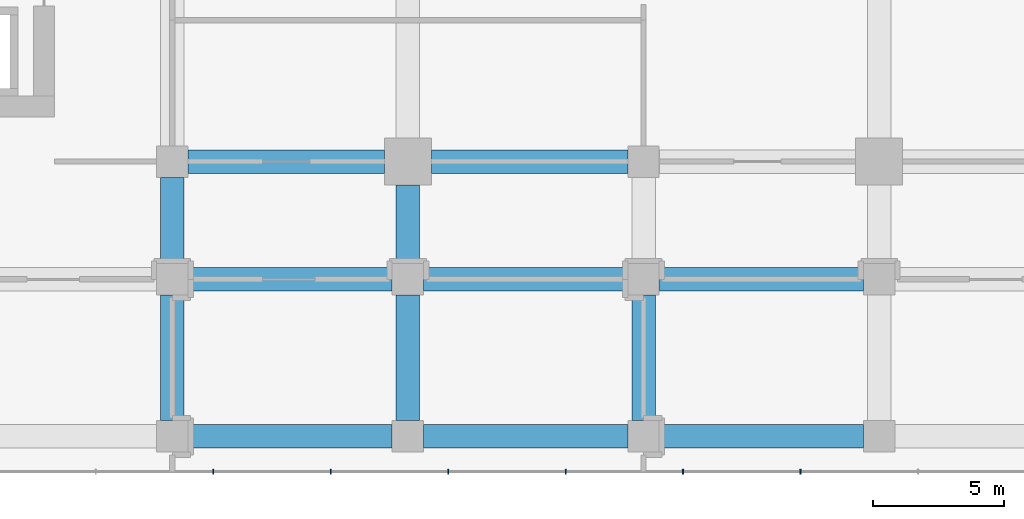
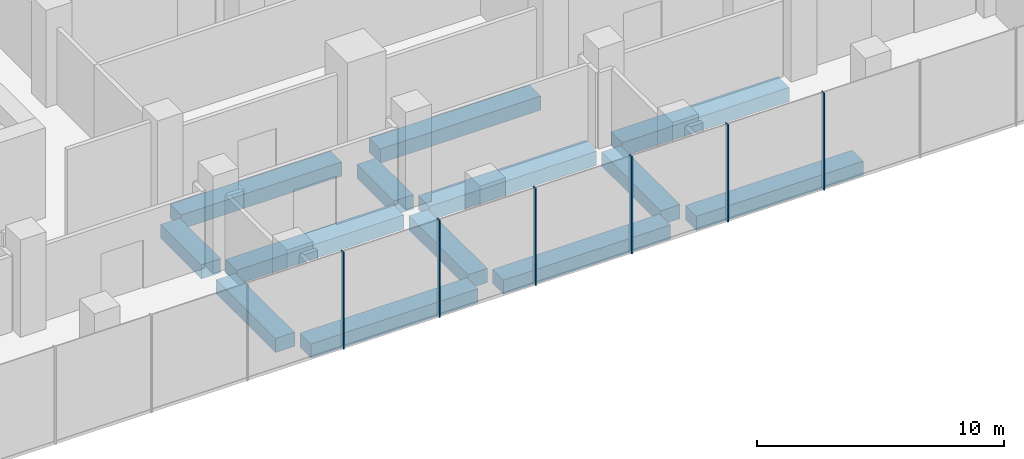
# One storey, part 4 of 42: 13 beams, 6 members, 1 element without a shape of its own.
"""IFC4 building model written with IfcOpenShell, lengths in metres."""

import ifcopenshell
import ifcopenshell.guid

model = None  # the IFC model being written
_history = None  # IfcOwnerHistory: only IFC2X3 demands one
_inside = {}  # id of a spatial element -> (the spatial element, [elements in it])
_under = {}  # id of a project, library or spatial element -> (it, [spatial elements below it])
_declared = {}  # id of a project -> (the project, [libraries it declares])
_typed = {}  # id of a type object -> (the type object, [elements of that type])
_made_of = {}  # id of a material, layer set ... -> (it, [elements and type objects made of it])


def new_model(schema):
    """Start an empty IFC model of exactly this schema.

    Asked for "IFC4X3", IfcOpenShell would pick the latest addendum, in which some entities
    have other attributes; the version numbers below select the first issue.
    IFC2X3 requires an IfcOwnerHistory on every rooted entity: one is made here for all.
    """
    global model, _history
    if schema == "IFC4X3":
        model = ifcopenshell.file(schema_version=(4, 3, 0, 0))
    else:
        model = ifcopenshell.file(schema=schema)
    _inside.clear()
    _under.clear()
    _declared.clear()
    _typed.clear()
    _made_of.clear()
    _history = None
    if model.schema == "IFC2X3":
        org = make("IfcOrganization", Name="unknown")
        user = make(
            "IfcPersonAndOrganization",
            ThePerson=make("IfcPerson", FamilyName="unknown"),
            TheOrganization=org,
        )
        app = make(
            "IfcApplication",
            ApplicationDeveloper=org,
            Version="unknown",
            ApplicationFullName="unknown",
            ApplicationIdentifier="unknown",
        )
        _history = make(
            "IfcOwnerHistory",
            OwningUser=user,
            OwningApplication=app,
            ChangeAction="ADDED",
            CreationDate=0,
        )
    return model


def make(cls, **values):
    """One entity of the class cls with the attributes given. An attribute that is None is left unset."""
    return model.create_entity(
        cls, **{name: value for name, value in values.items() if value is not None}
    )


def rooted(cls, **values):
    """An entity with a GlobalId (a new one), such as an element, a storey or a relation."""
    return make(cls, GlobalId=ifcopenshell.guid.new(), OwnerHistory=_history, **values)


def si_unit(unit_type, name, prefix=None):
    """IfcSIUnit, for example si_unit("LENGTHUNIT", "METRE", prefix="MILLI")."""
    return make("IfcSIUnit", UnitType=unit_type, Prefix=prefix, Name=name)


def assignment(units):
    """IfcUnitAssignment: the units of a project."""
    return None if units is None else make("IfcUnitAssignment", Units=units)


def point(xyz):
    """IfcCartesianPoint."""
    return None if xyz is None else make("IfcCartesianPoint", Coordinates=xyz)


def direction(xyz):
    """IfcDirection."""
    return None if xyz is None else make("IfcDirection", DirectionRatios=xyz)


def frame(location, z_axis=None, x_axis=None):
    """IfcAxis2Placement3D, a coordinate frame: its origin and axes. An axis left out is left unset."""
    return make(
        "IfcAxis2Placement3D",
        Location=point(location),
        Axis=direction(z_axis),
        RefDirection=direction(x_axis),
    )


def frame_2d(location, x_axis=None):
    """IfcAxis2Placement2D, a coordinate frame in the plane: its origin and x axis."""
    return make(
        "IfcAxis2Placement2D", Location=point(location), RefDirection=direction(x_axis)
    )


def origin():
    """The frame at (0, 0, 0) with its axes left unset."""
    return frame((0.0, 0.0, 0.0))


def origin_2d():
    """The frame at (0, 0) in the plane with its x axis left unset."""
    return frame_2d((0.0, 0.0))


def place(relative_to, where):
    """IfcLocalPlacement: puts the frame where relative to a parent placement (None: the world)."""
    return make(
        "IfcLocalPlacement", PlacementRelTo=relative_to, RelativePlacement=where
    )


def context(
    kind, dimensions, precision=None, world=None, true_north=None, identifier=None
):
    """IfcGeometricRepresentationContext, for example the 3D "Model" context."""
    return make(
        "IfcGeometricRepresentationContext",
        ContextIdentifier=identifier,
        ContextType=kind,
        CoordinateSpaceDimension=dimensions,
        Precision=precision,
        WorldCoordinateSystem=world,
        TrueNorth=true_north,
    )


def subcontext(parent, identifier, kind, view, scale=None):
    """IfcGeometricRepresentationSubContext, for example "Body" below "Model"."""
    return make(
        "IfcGeometricRepresentationSubContext",
        ContextIdentifier=identifier,
        ContextType=kind,
        ParentContext=parent,
        TargetScale=scale,
        TargetView=view,
    )


def project(units=None, contexts=None):
    """IfcProject with its units and contexts."""
    return rooted(
        "IfcProject",
        Name="project",
        RepresentationContexts=contexts,
        UnitsInContext=assignment(units),
    )


def spatial(cls, under=None, at=None, **own):
    """A site, building, storey or space (cls), placed at a placement, below another one or the project."""
    s = rooted(cls, ObjectPlacement=at, **own)
    if under is not None:
        _under.setdefault(under.id(), (under, []))[1].append(s)
    return s


def profile(cls, at=None, kind="AREA", **sizes):
    """A parametric profile (cls). Its sizes go by their IFC names, for example OverallWidth=200.0."""
    return make(cls, ProfileType=kind, Position=at, **sizes)


def rectangle(**sizes):
    """IfcRectangleProfileDef."""
    return profile("IfcRectangleProfileDef", **sizes)


def extrude(swept, where, along, depth):
    """IfcExtrudedAreaSolid: the profile swept, set in the frame where, extruded along a direction by depth."""
    return make(
        "IfcExtrudedAreaSolid",
        SweptArea=swept,
        Position=where,
        ExtrudedDirection=direction(along),
        Depth=depth,
    )


def shape(context_of_items, identifier, shape_type, items):
    """IfcShapeRepresentation: the items that make up one representation, for example the "Body"."""
    return make(
        "IfcShapeRepresentation",
        ContextOfItems=context_of_items,
        RepresentationIdentifier=identifier,
        RepresentationType=shape_type,
        Items=items,
    )


def material(Name=None, Category=None):
    """IfcMaterial."""
    return make("IfcMaterial", Name=Name, Category=Category)


def layer(
    of_material, thickness, ventilated=None, Name=None, Category=None, Priority=None
):
    """IfcMaterialLayer: one layer of a wall or slab, of a material (None: an air gap)."""
    return make(
        "IfcMaterialLayer",
        Material=of_material,
        LayerThickness=thickness,
        IsVentilated=ventilated,
        Name=Name,
        Category=Category,
        Priority=Priority,
    )


def layer_set(layers, Name=None):
    """IfcMaterialLayerSet."""
    return make("IfcMaterialLayerSet", MaterialLayers=layers, LayerSetName=Name)


def material_profile(
    of_material, cross_section, Name=None, Category=None, Priority=None
):
    """IfcMaterialProfile: a cross section and its material."""
    return make(
        "IfcMaterialProfile",
        Name=Name,
        Material=of_material,
        Profile=cross_section,
        Priority=Priority,
        Category=Category,
    )


def profile_set(profiles, Name=None, composite=None):
    """IfcMaterialProfileSet."""
    return make(
        "IfcMaterialProfileSet",
        Name=Name,
        MaterialProfiles=profiles,
        CompositeProfile=composite,
    )


def made_of(thing, what):
    """Note that an element or type object is made of a material, layer set ...; save() writes the relation."""
    if what is not None:
        _made_of.setdefault(what.id(), (what, []))[1].append(thing)
    return thing


def type_object(cls, material=None, **own):
    """A type object (cls), such as IfcWallType, which elements share."""
    return made_of(rooted(cls, **own), material)


def element(
    cls,
    number,
    at=None,
    inside=None,
    cuts=None,
    type_object=None,
    material=None,
    context=None,
    identifier="Body",
    shape_type=None,
    held_by="IfcProductDefinitionShape",
    body=None,
    shapes=None,
    **own,
):
    """One element of the class cls, such as IfcWall. Its Tag is "e" and its number.

    at: its placement. inside: the storey or other place that contains it. cuts: it is an
    opening in that element (IfcRelVoidsElement). A single representation is given by context,
    identifier, shape_type and body (its items); several are given by shapes. held_by: the class
    of the entity that holds the representations. save() writes the other relations.
    """
    e = rooted(cls, Tag="e%d" % number, ObjectPlacement=at, **own)
    if body is not None:
        shapes = [shape(context, identifier, shape_type, body)]
    if shapes is not None:
        e.Representation = make(held_by, Representations=shapes)
    if inside is not None:
        _inside.setdefault(inside.id(), (inside, []))[1].append(e)
    if cuts is not None:
        rooted(
            "IfcRelVoidsElement", RelatingBuildingElement=cuts, RelatedOpeningElement=e
        )
    if type_object is not None:
        _typed.setdefault(type_object.id(), (type_object, []))[1].append(e)
    return made_of(e, material)


def aggregate(whole, parts):
    """IfcRelAggregates: a whole, such as a stair, and the parts it consists of."""
    return rooted("IfcRelAggregates", RelatingObject=whole, RelatedObjects=parts)


def save(model, path):
    """Write the relations noted so far, then the file.

    IfcRelAggregates (storeys below a building ...), IfcRelContainedInSpatialStructure (elements
    in a storey), IfcRelDefinesByType, IfcRelAssociatesMaterial and IfcRelDeclares: one each for
    every whole, place, type object, material and project.
    """
    for whole, parts in _under.values():
        aggregate(whole, parts)
    for where, things in _inside.values():
        rooted(
            "IfcRelContainedInSpatialStructure",
            RelatedElements=things,
            RelatingStructure=where,
        )
    for kind, things in _typed.values():
        rooted("IfcRelDefinesByType", RelatedObjects=things, RelatingType=kind)
    for what, things in _made_of.values():
        rooted("IfcRelAssociatesMaterial", RelatedObjects=things, RelatingMaterial=what)
    for by, libraries in _declared.values():
        rooted("IfcRelDeclares", RelatingContext=by, RelatedDefinitions=libraries)
    model.write(path)


model = new_model("IFC4")

# Units and contexts
model_context = context("Model", 3, precision=1e-05, world=origin(), true_north=direction((0.0, 1.0)))
body_context = subcontext(model_context, "Body", "Model", "MODEL_VIEW")
ifc_project = project(units=[si_unit("LENGTHUNIT", "METRE"), si_unit("AREAUNIT", "SQUARE_METRE"), si_unit("VOLUMEUNIT", "CUBIC_METRE"), si_unit("PLANEANGLEUNIT", "RADIAN"), si_unit("MASSUNIT", "GRAM", prefix="KILO")], contexts=[model_context])

# Site, building, storey
site_placement = place(None, origin())
site = spatial("IfcSite", under=ifc_project, at=site_placement, CompositionType="ELEMENT")
building_placement = place(site_placement, origin())
building = spatial("IfcBuilding", under=site, at=building_placement, Name="Plateau Cross Towers", CompositionType="ELEMENT")
storey_placement = place(building_placement, frame((0.0, 0.0, 8.0)))
storey = spatial("IfcBuildingStorey", under=building, at=storey_placement, Name="L01", CompositionType="ELEMENT", Elevation=8.0)

# Curtain wall, members
ifc_material_1 = material(Name="Dark low-iron laminated glass", Category="glass")
ifc_layer = layer(ifc_material_1, 0.300048828125)
ifc_layer_set = layer_set([ifc_layer], Name="Dark low-iron laminated glass")
curtain_wall_type = type_object("IfcCurtainWallType", Name="Curtain wall structural silicone CW-C", PredefinedType="NOTDEFINED", material=ifc_layer_set)
curtain_wall_placement = place(storey_placement, origin())
curtain_wall = element("IfcCurtainWall", 1, at=curtain_wall_placement, inside=storey, type_object=curtain_wall_type, Name="ENV/P/L01/P-28_-118", PredefinedType="NOTDEFINED")
ifc_material_2 = material(Name="Black anodised aluminium", Category="aluminium")
ifc_material_profile_1 = material_profile(ifc_material_2, rectangle(XDim=0.050048828125, YDim=0.199951171875, at=origin_2d()), Name="MULLION 50x200")
ifc_profile_set_1 = profile_set([ifc_material_profile_1], Name="Black anodised aluminium")
member_type = type_object("IfcMemberType", Name="Mullion 50x200 structural silicone", PredefinedType="MULLION", material=ifc_profile_set_1)
member_1_placement = place(storey_placement, frame((28.5625, -11.85009765625, -0.35009765625), z_axis=(0.0, 0.0, 1.0), x_axis=(1.0, 0.0, 0.0)))
member_1 = element("IfcMember", 2, at=member_1_placement, type_object=member_type, Name="CW-C mullion 8", PredefinedType="MULLION", context=body_context, shape_type="SweptSolid", body=[
    extrude(rectangle(XDim=0.050048828125, YDim=0.199951171875, at=origin_2d()), origin(), (0.0, 0.0, 1.0), 4.800048828125),
])
member_2_placement = place(storey_placement, frame((33.050048828125, -11.85009765625, -0.35009765625), z_axis=(0.0, 0.0, 1.0), x_axis=(1.0, 0.0, 0.0)))
member_2 = element("IfcMember", 3, at=member_2_placement, type_object=member_type, Name="CW-C mullion 9", PredefinedType="MULLION", context=body_context, shape_type="SweptSolid", body=[
    extrude(rectangle(XDim=0.050048828125, YDim=0.199951171875, at=origin_2d()), origin(), (0.0, 0.0, 1.0), 4.800048828125),
])
member_3_placement = place(storey_placement, frame((37.53759765625, -11.85009765625, -0.35009765625), z_axis=(0.0, 0.0, 1.0), x_axis=(1.0, 0.0, 0.0)))
member_3 = element("IfcMember", 4, at=member_3_placement, type_object=member_type, Name="CW-C mullion 10", PredefinedType="MULLION", context=body_context, shape_type="SweptSolid", body=[
    extrude(rectangle(XDim=0.050048828125, YDim=0.199951171875, at=origin_2d()), origin(), (0.0, 0.0, 1.0), 4.800048828125),
])
member_4_placement = place(storey_placement, frame((42.02490234375, -11.85009765625, -0.35009765625), z_axis=(0.0, 0.0, 1.0), x_axis=(1.0, 0.0, 0.0)))
member_4 = element("IfcMember", 5, at=member_4_placement, type_object=member_type, Name="CW-C mullion 11", PredefinedType="MULLION", context=body_context, shape_type="SweptSolid", body=[
    extrude(rectangle(XDim=0.050048828125, YDim=0.199951171875, at=origin_2d()), origin(), (0.0, 0.0, 1.0), 4.800048828125),
])
member_5_placement = place(storey_placement, frame((46.512451171875, -11.85009765625, -0.35009765625), z_axis=(0.0, 0.0, 1.0), x_axis=(1.0, 0.0, 0.0)))
member_5 = element("IfcMember", 6, at=member_5_placement, type_object=member_type, Name="CW-C mullion 12", PredefinedType="MULLION", context=body_context, shape_type="SweptSolid", body=[
    extrude(rectangle(XDim=0.050048828125, YDim=0.199951171875, at=origin_2d()), origin(), (0.0, 0.0, 1.0), 4.800048828125),
])
member_6_placement = place(storey_placement, frame((51.0, -11.85009765625, -0.35009765625), z_axis=(0.0, 0.0, 1.0), x_axis=(1.0, 0.0, 0.0)))
member_6 = element("IfcMember", 7, at=member_6_placement, type_object=member_type, Name="CW-C mullion 13", PredefinedType="MULLION", context=body_context, shape_type="SweptSolid", body=[
    extrude(rectangle(XDim=0.050048828125, YDim=0.199951171875, at=origin_2d()), origin(), (0.0, 0.0, 1.0), 4.800048828125),
])
aggregate(curtain_wall, [member_1, member_2, member_3, member_4, member_5, member_6])

# Beams
ifc_material_3 = material(Name="Concrete C50/60", Category="concrete")
ifc_material_profile_2 = material_profile(ifc_material_3, rectangle(XDim=0.89990234375, YDim=0.699951171875, at=origin_2d()), Name="RC 900x700")
ifc_profile_set_2 = profile_set([ifc_material_profile_2], Name="Concrete C50/60")
beam_type = type_object("IfcBeamType", Name="Podium band beam RC 900x700", PredefinedType="BEAM", material=ifc_profile_set_2)
for number, where, z_axis, x_axis, name in (
    (8, (27.60009765625, -10.5, -0.699951171875), (1.0, 0.0, 0.0), (0.0, 1.0, 0.0), "PB05@L01"),
    (9, (36.60009765625, -10.5, -0.699951171875), (1.0, 0.0, 0.0), (0.0, 1.0, 0.0), "PB06@L01"),
    (10, (45.60009765625, -10.5, -0.699951171875), (1.0, 0.0, 0.0), (0.0, 1.0, 0.0), "PB07@L01"),
    (11, (27.60009765625, -4.5, -0.699951171875), (1.0, 0.0, 0.0), (0.0, 1.0, 0.0), "PB18@L01"),
    (12, (36.60009765625, -4.5, -0.699951171875), (1.0, 0.0, 0.0), (0.0, 1.0, 0.0), "PB19@L01"),
    (13, (45.60009765625, -4.5, -0.699951171875), (1.0, 0.0, 0.0), (0.0, 1.0, 0.0), "PB20@L01"),
):
    element("IfcBeam", number, at=place(storey_placement, frame(where, z_axis=z_axis, x_axis=x_axis)), inside=storey, type_object=beam_type, Name=name, PredefinedType="BEAM", context=body_context, shape_type="SweptSolid", body=[
        extrude(rectangle(XDim=0.89990234375, YDim=0.699951171875, at=origin_2d()), origin(), (0.0, 0.0, 1.0), 7.7998046875),
    ])
for number, where, z_axis, x_axis, name in (
    (14, (27.60009765625, 0.0, -0.699951171875), (1.0, 0.0, 0.0), (0.0, 1.0, 0.0), "PB22@L01"),
    (15, (36.89990234375, 0.0, -0.699951171875), (1.0, 0.0, 0.0), (0.0, 1.0, 0.0), "PB23@L01"),
):
    element("IfcBeam", number, at=place(storey_placement, frame(where, z_axis=z_axis, x_axis=x_axis)), inside=storey, type_object=beam_type, Name=name, PredefinedType="BEAM", context=body_context, shape_type="SweptSolid", body=[
        extrude(rectangle(XDim=0.89990234375, YDim=0.699951171875, at=origin_2d()), origin(), (0.0, 0.0, 1.0), 7.5),
    ])
beam_1_placement = place(storey_placement, frame((27.0, -9.89990234375, -0.699951171875), z_axis=(0.0, 1.0, 0.0), x_axis=(-1.0, 0.0, 0.0)))
element("IfcBeam", 16, at=beam_1_placement, inside=storey, type_object=beam_type, Name="PB114@L01", PredefinedType="BEAM", context=body_context, shape_type="SweptSolid", body=[
    extrude(rectangle(XDim=0.89990234375, YDim=0.699951171875, at=origin_2d()), origin(), (0.0, 0.0, 1.0), 4.7998046875),
])
beam_2_placement = place(storey_placement, frame((27.0, -3.89990234375, -0.699951171875), z_axis=(0.0, 1.0, 0.0), x_axis=(-1.0, 0.0, 0.0)))
element("IfcBeam", 17, at=beam_2_placement, inside=storey, type_object=beam_type, Name="PB115@L01", PredefinedType="BEAM", context=body_context, shape_type="SweptSolid", body=[
    extrude(rectangle(XDim=0.89990234375, YDim=0.699951171875, at=origin_2d()), origin(), (0.0, 0.0, 1.0), 3.2998046875),
])
beam_3_placement = place(storey_placement, frame((36.0, -9.89990234375, -0.699951171875), z_axis=(0.0, 1.0, 0.0), x_axis=(-1.0, 0.0, 0.0)))
element("IfcBeam", 18, at=beam_3_placement, inside=storey, type_object=beam_type, Name="PB123@L01", PredefinedType="BEAM", context=body_context, shape_type="SweptSolid", body=[
    extrude(rectangle(XDim=0.89990234375, YDim=0.699951171875, at=origin_2d()), origin(), (0.0, 0.0, 1.0), 4.7998046875),
])
beam_4_placement = place(storey_placement, frame((36.0, -3.89990234375, -0.699951171875), z_axis=(0.0, 1.0, 0.0), x_axis=(-1.0, 0.0, 0.0)))
element("IfcBeam", 19, at=beam_4_placement, inside=storey, type_object=beam_type, Name="PB124@L01", PredefinedType="BEAM", context=body_context, shape_type="SweptSolid", body=[
    extrude(rectangle(XDim=0.89990234375, YDim=0.699951171875, at=origin_2d()), origin(), (0.0, 0.0, 1.0), 3.0),
])
beam_5_placement = place(storey_placement, frame((45.0, -9.89990234375, -0.699951171875), z_axis=(0.0, 1.0, 0.0), x_axis=(-1.0, 0.0, 0.0)))
element("IfcBeam", 20, at=beam_5_placement, inside=storey, type_object=beam_type, Name="PB132@L01", PredefinedType="BEAM", context=body_context, shape_type="SweptSolid", body=[
    extrude(rectangle(XDim=0.89990234375, YDim=0.699951171875, at=origin_2d()), origin(), (0.0, 0.0, 1.0), 4.7998046875),
])

save(model, "model.ifc")
